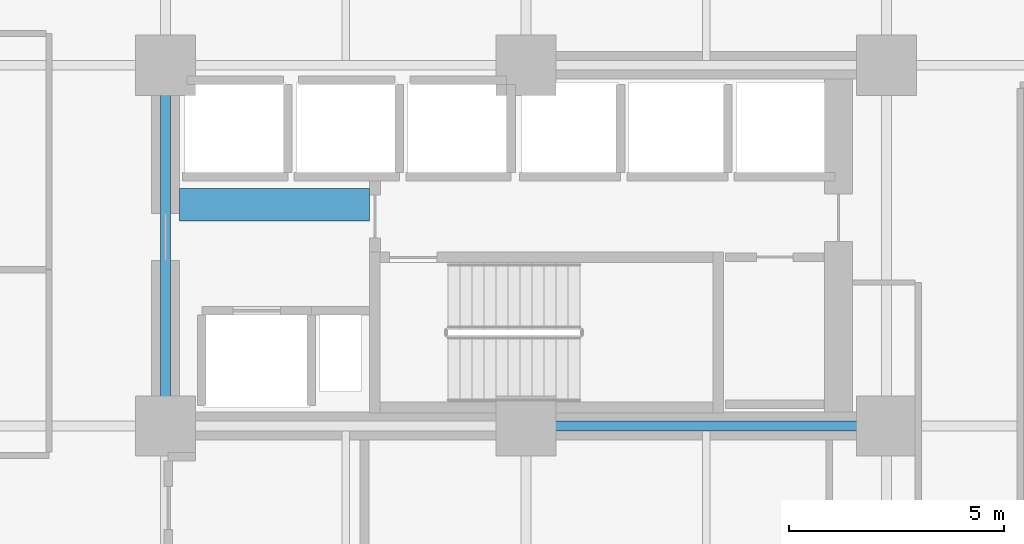
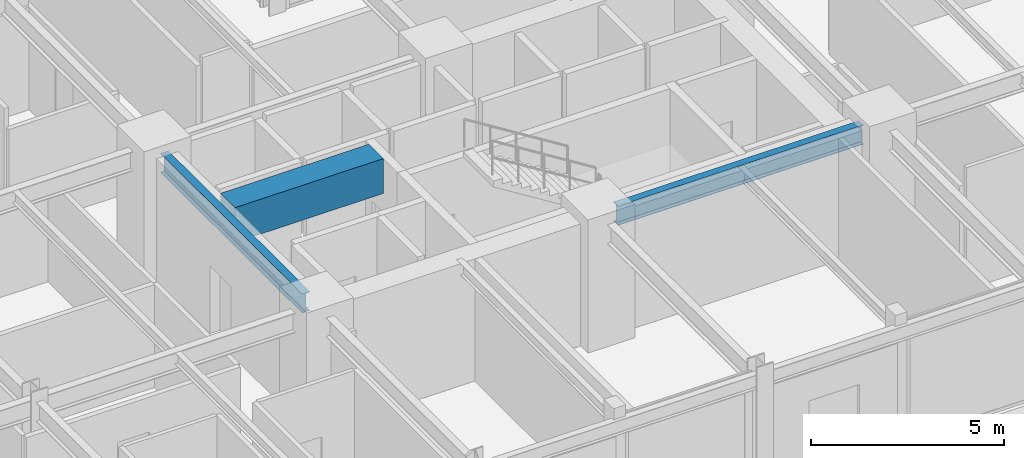
# One storey, part 7 of 26: 3 beams.
"""IFC4 building model written with IfcOpenShell, lengths in metres."""

import ifcopenshell
import ifcopenshell.guid

model = None  # the IFC model being written
_history = None  # IfcOwnerHistory: only IFC2X3 demands one
_inside = {}  # id of a spatial element -> (the spatial element, [elements in it])
_under = {}  # id of a project, library or spatial element -> (it, [spatial elements below it])
_declared = {}  # id of a project -> (the project, [libraries it declares])
_typed = {}  # id of a type object -> (the type object, [elements of that type])
_made_of = {}  # id of a material, layer set ... -> (it, [elements and type objects made of it])


def new_model(schema):
    """Start an empty IFC model of exactly this schema.

    Asked for "IFC4X3", IfcOpenShell would pick the latest addendum, in which some entities
    have other attributes; the version numbers below select the first issue.
    IFC2X3 requires an IfcOwnerHistory on every rooted entity: one is made here for all.
    """
    global model, _history
    if schema == "IFC4X3":
        model = ifcopenshell.file(schema_version=(4, 3, 0, 0))
    else:
        model = ifcopenshell.file(schema=schema)
    _inside.clear()
    _under.clear()
    _declared.clear()
    _typed.clear()
    _made_of.clear()
    _history = None
    if model.schema == "IFC2X3":
        org = make("IfcOrganization", Name="unknown")
        user = make(
            "IfcPersonAndOrganization",
            ThePerson=make("IfcPerson", FamilyName="unknown"),
            TheOrganization=org,
        )
        app = make(
            "IfcApplication",
            ApplicationDeveloper=org,
            Version="unknown",
            ApplicationFullName="unknown",
            ApplicationIdentifier="unknown",
        )
        _history = make(
            "IfcOwnerHistory",
            OwningUser=user,
            OwningApplication=app,
            ChangeAction="ADDED",
            CreationDate=0,
        )
    return model


def make(cls, **values):
    """One entity of the class cls with the attributes given. An attribute that is None is left unset."""
    return model.create_entity(
        cls, **{name: value for name, value in values.items() if value is not None}
    )


def rooted(cls, **values):
    """An entity with a GlobalId (a new one), such as an element, a storey or a relation."""
    return make(cls, GlobalId=ifcopenshell.guid.new(), OwnerHistory=_history, **values)


def si_unit(unit_type, name, prefix=None):
    """IfcSIUnit, for example si_unit("LENGTHUNIT", "METRE", prefix="MILLI")."""
    return make("IfcSIUnit", UnitType=unit_type, Prefix=prefix, Name=name)


def assignment(units):
    """IfcUnitAssignment: the units of a project."""
    return None if units is None else make("IfcUnitAssignment", Units=units)


def point(xyz):
    """IfcCartesianPoint."""
    return None if xyz is None else make("IfcCartesianPoint", Coordinates=xyz)


def direction(xyz):
    """IfcDirection."""
    return None if xyz is None else make("IfcDirection", DirectionRatios=xyz)


def frame(location, z_axis=None, x_axis=None):
    """IfcAxis2Placement3D, a coordinate frame: its origin and axes. An axis left out is left unset."""
    return make(
        "IfcAxis2Placement3D",
        Location=point(location),
        Axis=direction(z_axis),
        RefDirection=direction(x_axis),
    )


def frame_2d(location, x_axis=None):
    """IfcAxis2Placement2D, a coordinate frame in the plane: its origin and x axis."""
    return make(
        "IfcAxis2Placement2D", Location=point(location), RefDirection=direction(x_axis)
    )


def origin():
    """The frame at (0, 0, 0) with its axes left unset."""
    return frame((0.0, 0.0, 0.0))


def origin_2d():
    """The frame at (0, 0) in the plane with its x axis left unset."""
    return frame_2d((0.0, 0.0))


def place(relative_to, where):
    """IfcLocalPlacement: puts the frame where relative to a parent placement (None: the world)."""
    return make(
        "IfcLocalPlacement", PlacementRelTo=relative_to, RelativePlacement=where
    )


def context(
    kind, dimensions, precision=None, world=None, true_north=None, identifier=None
):
    """IfcGeometricRepresentationContext, for example the 3D "Model" context."""
    return make(
        "IfcGeometricRepresentationContext",
        ContextIdentifier=identifier,
        ContextType=kind,
        CoordinateSpaceDimension=dimensions,
        Precision=precision,
        WorldCoordinateSystem=world,
        TrueNorth=true_north,
    )


def subcontext(parent, identifier, kind, view, scale=None):
    """IfcGeometricRepresentationSubContext, for example "Body" below "Model"."""
    return make(
        "IfcGeometricRepresentationSubContext",
        ContextIdentifier=identifier,
        ContextType=kind,
        ParentContext=parent,
        TargetScale=scale,
        TargetView=view,
    )


def project(units=None, contexts=None):
    """IfcProject with its units and contexts."""
    return rooted(
        "IfcProject",
        Name="project",
        RepresentationContexts=contexts,
        UnitsInContext=assignment(units),
    )


def spatial(cls, under=None, at=None, **own):
    """A site, building, storey or space (cls), placed at a placement, below another one or the project."""
    s = rooted(cls, ObjectPlacement=at, **own)
    if under is not None:
        _under.setdefault(under.id(), (under, []))[1].append(s)
    return s


def profile(cls, at=None, kind="AREA", **sizes):
    """A parametric profile (cls). Its sizes go by their IFC names, for example OverallWidth=200.0."""
    return make(cls, ProfileType=kind, Position=at, **sizes)


def rectangle(**sizes):
    """IfcRectangleProfileDef."""
    return profile("IfcRectangleProfileDef", **sizes)


def i_section(**sizes):
    """IfcIShapeProfileDef."""
    return profile("IfcIShapeProfileDef", **sizes)


def extrude(swept, where, along, depth):
    """IfcExtrudedAreaSolid: the profile swept, set in the frame where, extruded along a direction by depth."""
    return make(
        "IfcExtrudedAreaSolid",
        SweptArea=swept,
        Position=where,
        ExtrudedDirection=direction(along),
        Depth=depth,
    )


def shape(context_of_items, identifier, shape_type, items):
    """IfcShapeRepresentation: the items that make up one representation, for example the "Body"."""
    return make(
        "IfcShapeRepresentation",
        ContextOfItems=context_of_items,
        RepresentationIdentifier=identifier,
        RepresentationType=shape_type,
        Items=items,
    )


def material(Name=None, Category=None):
    """IfcMaterial."""
    return make("IfcMaterial", Name=Name, Category=Category)


def material_profile(
    of_material, cross_section, Name=None, Category=None, Priority=None
):
    """IfcMaterialProfile: a cross section and its material."""
    return make(
        "IfcMaterialProfile",
        Name=Name,
        Material=of_material,
        Profile=cross_section,
        Priority=Priority,
        Category=Category,
    )


def profile_set(profiles, Name=None, composite=None):
    """IfcMaterialProfileSet."""
    return make(
        "IfcMaterialProfileSet",
        Name=Name,
        MaterialProfiles=profiles,
        CompositeProfile=composite,
    )


def made_of(thing, what):
    """Note that an element or type object is made of a material, layer set ...; save() writes the relation."""
    if what is not None:
        _made_of.setdefault(what.id(), (what, []))[1].append(thing)
    return thing


def type_object(cls, material=None, **own):
    """A type object (cls), such as IfcWallType, which elements share."""
    return made_of(rooted(cls, **own), material)


def element(
    cls,
    number,
    at=None,
    inside=None,
    cuts=None,
    type_object=None,
    material=None,
    context=None,
    identifier="Body",
    shape_type=None,
    held_by="IfcProductDefinitionShape",
    body=None,
    shapes=None,
    **own,
):
    """One element of the class cls, such as IfcWall. Its Tag is "e" and its number.

    at: its placement. inside: the storey or other place that contains it. cuts: it is an
    opening in that element (IfcRelVoidsElement). A single representation is given by context,
    identifier, shape_type and body (its items); several are given by shapes. held_by: the class
    of the entity that holds the representations. save() writes the other relations.
    """
    e = rooted(cls, Tag="e%d" % number, ObjectPlacement=at, **own)
    if body is not None:
        shapes = [shape(context, identifier, shape_type, body)]
    if shapes is not None:
        e.Representation = make(held_by, Representations=shapes)
    if inside is not None:
        _inside.setdefault(inside.id(), (inside, []))[1].append(e)
    if cuts is not None:
        rooted(
            "IfcRelVoidsElement", RelatingBuildingElement=cuts, RelatedOpeningElement=e
        )
    if type_object is not None:
        _typed.setdefault(type_object.id(), (type_object, []))[1].append(e)
    return made_of(e, material)


def aggregate(whole, parts):
    """IfcRelAggregates: a whole, such as a stair, and the parts it consists of."""
    return rooted("IfcRelAggregates", RelatingObject=whole, RelatedObjects=parts)


def save(model, path):
    """Write the relations noted so far, then the file.

    IfcRelAggregates (storeys below a building ...), IfcRelContainedInSpatialStructure (elements
    in a storey), IfcRelDefinesByType, IfcRelAssociatesMaterial and IfcRelDeclares: one each for
    every whole, place, type object, material and project.
    """
    for whole, parts in _under.values():
        aggregate(whole, parts)
    for where, things in _inside.values():
        rooted(
            "IfcRelContainedInSpatialStructure",
            RelatedElements=things,
            RelatingStructure=where,
        )
    for kind, things in _typed.values():
        rooted("IfcRelDefinesByType", RelatedObjects=things, RelatingType=kind)
    for what, things in _made_of.values():
        rooted("IfcRelAssociatesMaterial", RelatedObjects=things, RelatingMaterial=what)
    for by, libraries in _declared.values():
        rooted("IfcRelDeclares", RelatingContext=by, RelatedDefinitions=libraries)
    model.write(path)


model = new_model("IFC4")

# Units and contexts
model_context = context("Model", 3, precision=1e-05, world=origin(), true_north=direction((0.0, 1.0)))
body_context = subcontext(model_context, "Body", "Model", "MODEL_VIEW")
ifc_project = project(units=[si_unit("LENGTHUNIT", "METRE"), si_unit("AREAUNIT", "SQUARE_METRE"), si_unit("VOLUMEUNIT", "CUBIC_METRE"), si_unit("PLANEANGLEUNIT", "RADIAN"), si_unit("MASSUNIT", "GRAM", prefix="KILO")], contexts=[model_context])

# Site, building, storey
site_placement = place(None, origin())
site = spatial("IfcSite", under=ifc_project, at=site_placement, CompositionType="ELEMENT")
building_placement = place(site_placement, origin())
building = spatial("IfcBuilding", under=site, at=building_placement, Name="Nerrivon Quay Data Exchange", CompositionType="ELEMENT")
storey_placement = place(building_placement, frame((0.0, 0.0, 75.199951171875)))
storey = spatial("IfcBuildingStorey", under=building, at=storey_placement, Name="L17", CompositionType="ELEMENT", Elevation=75.199951171875)

# Beams
ifc_material_1 = material(Name="Concrete S65 (65 MPa)", Category="concrete")
ifc_material_profile_1 = material_profile(ifc_material_1, rectangle(XDim=0.75, YDim=1.10009765625, at=origin_2d()), Name="RC-CB-750x1100")
ifc_profile_set_1 = profile_set([ifc_material_profile_1], Name="Concrete S65 (65 MPa)")
beam_type_1 = type_object("IfcBeamType", Name="BM-CB1-750x1100", PredefinedType="LINTEL", material=ifc_profile_set_1)
beam_1_placement = place(storey_placement, frame((17.125, 13.550048828125, 3.300048828125), z_axis=(1.0, 0.0, 0.0), x_axis=(0.0, 1.0, 0.0)))
element("IfcBeam", 1, at=beam_1_placement, inside=storey, type_object=beam_type_1, Name="L17 East Core Coupling Beam", PredefinedType="LINTEL", context=body_context, shape_type="SweptSolid", body=[
    extrude(rectangle(XDim=0.75, YDim=1.10009765625, at=origin_2d()), origin(), (0.0, 0.0, 1.0), 4.429931640625),
])
ifc_material_2 = material(Name="Steel Grade 350", Category="steel")
ifc_material_profile_2 = material_profile(ifc_material_2, i_section(OverallWidth=0.22900390625, OverallDepth=0.612060546875, WebThickness=0.011962890625, FlangeThickness=0.01953125, FilletRadius=0.013916015625, at=origin_2d()), Name="610UB125")
ifc_profile_set_2 = profile_set([ifc_material_profile_2], Name="Steel Grade 350")
beam_type_2 = type_object("IfcBeamType", Name="BM-G1-610UB125", PredefinedType="BEAM", material=ifc_profile_set_2)
beam_2_placement = place(storey_placement, frame((25.739990234375, 8.39990234375, 3.5439453125), z_axis=(1.0, 0.0, 0.0), x_axis=(0.0, 1.0, 0.0)))
element("IfcBeam", 2, at=beam_2_placement, inside=storey, type_object=beam_type_2, Name="L17 EW Girder Y=8.4 (25.2..33.6)", PredefinedType="BEAM", context=body_context, shape_type="SweptSolid", body=[
    extrude(i_section(OverallWidth=0.22900390625, OverallDepth=0.612060546875, WebThickness=0.011962890625, FlangeThickness=0.01953125, FilletRadius=0.013916015625, at=origin_2d()), origin(), (0.0, 0.0, 1.0), 7.320068359375),
])
ifc_material_profile_3 = material_profile(ifc_material_2, i_section(OverallWidth=0.22802734375, OverallDepth=0.60205078125, WebThickness=0.010498046875, FlangeThickness=0.014892578125, FilletRadius=0.013916015625, at=origin_2d()), Name="610UB101")
ifc_profile_set_3 = profile_set([ifc_material_profile_3], Name="Steel Grade 350")
beam_type_3 = type_object("IfcBeamType", Name="BM-G2-610UB101", PredefinedType="BEAM", material=ifc_profile_set_3)
beam_3_placement = place(storey_placement, frame((16.800048828125, 8.93994140625, 3.549072265625), z_axis=(0.0, 1.0, 0.0), x_axis=(-1.0, 0.0, 0.0)))
element("IfcBeam", 3, at=beam_3_placement, inside=storey, type_object=beam_type_3, Name="L17 NS Girder X=16.8 (8.4..16.8)", PredefinedType="BEAM", context=body_context, shape_type="SweptSolid", body=[
    extrude(i_section(OverallWidth=0.22802734375, OverallDepth=0.60205078125, WebThickness=0.010498046875, FlangeThickness=0.014892578125, FilletRadius=0.013916015625, at=origin_2d()), origin(), (0.0, 0.0, 1.0), 7.320068359375),
])

save(model, "model.ifc")
